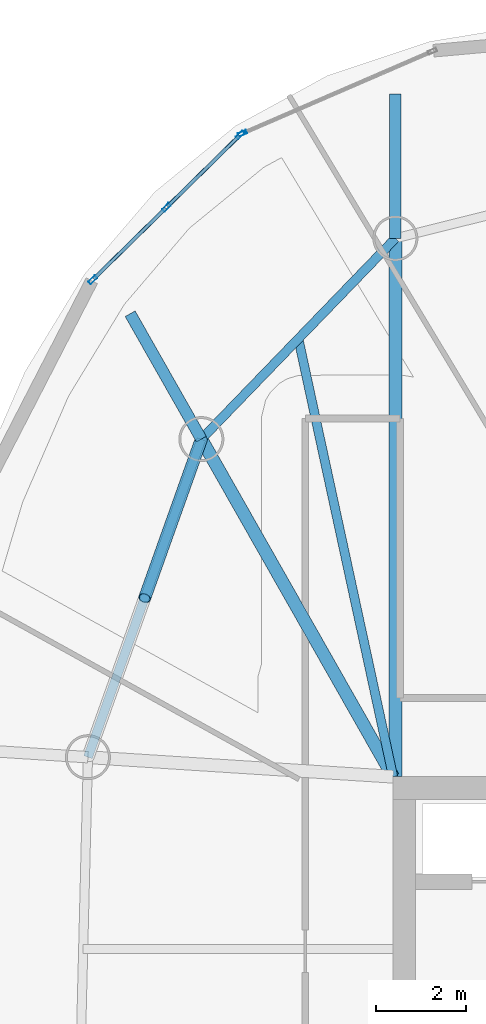
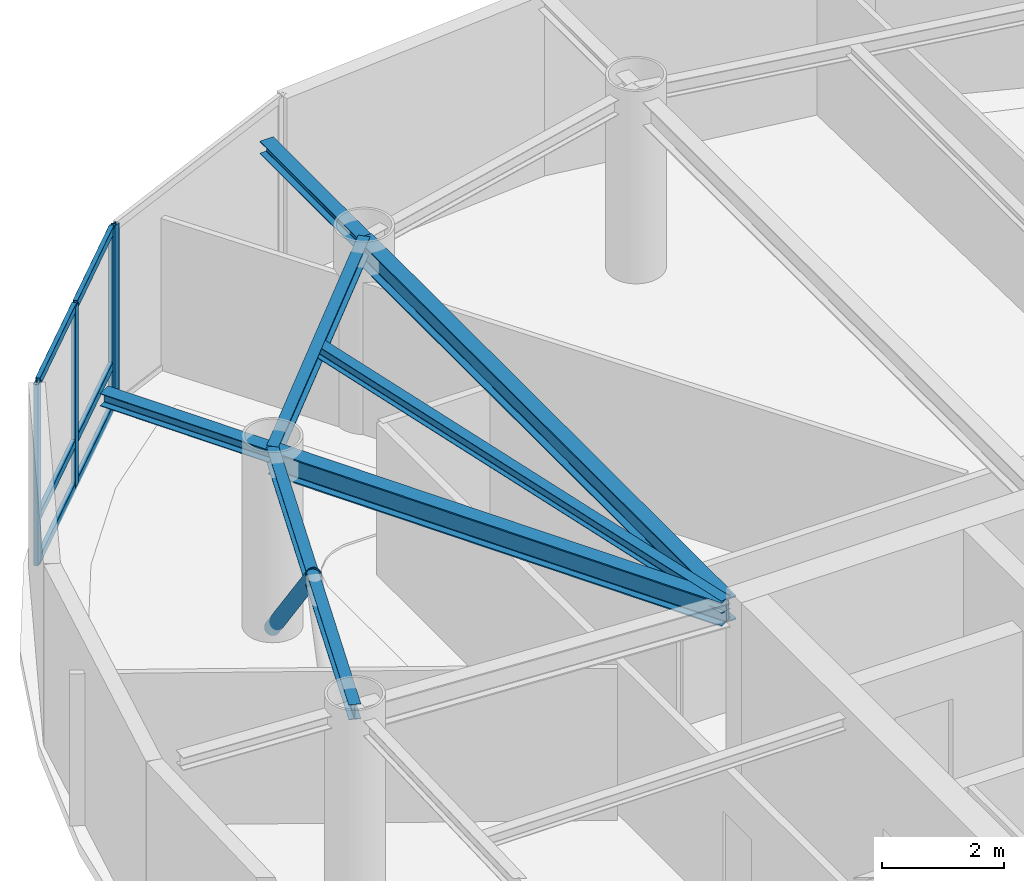
# One storey, part 11 of 21: 11 members, 7 beams, 2 elements without a shape of their own.
"""IFC4 building model written with IfcOpenShell, lengths in metres."""

from ifc_helpers import new_model, si_unit, direction, frame, origin, origin_2d, place, context, subcontext, project, spatial, hollow_rectangle, hollow_circle, i_section, extrude, material, layer, layer_set, material_profile, profile_set, type_object, element, aggregate, save


model = new_model("IFC4")

# Units and contexts
model_context = context("Model", 3, precision=1e-05, world=origin(), true_north=direction((0.0, 1.0)))
body_context = subcontext(model_context, "Body", "Model", "MODEL_VIEW")
ifc_project = project(units=[si_unit("LENGTHUNIT", "METRE"), si_unit("AREAUNIT", "SQUARE_METRE"), si_unit("VOLUMEUNIT", "CUBIC_METRE"), si_unit("PLANEANGLEUNIT", "RADIAN"), si_unit("MASSUNIT", "GRAM", prefix="KILO")], contexts=[model_context])

# Site, building, storey
site_placement = place(None, origin())
site = spatial("IfcSite", under=ifc_project, at=site_placement, CompositionType="ELEMENT")
building_placement = place(site_placement, origin())
building = spatial("IfcBuilding", under=site, at=building_placement, Name="Bramvorn Convention Spire", CompositionType="ELEMENT")
storey_placement = place(building_placement, frame((0.0, 0.0, 257.449951171875)))
storey = spatial("IfcBuildingStorey", under=building, at=storey_placement, Name="L65", CompositionType="ELEMENT", Elevation=257.449951171875)

# Beams
ifc_material_1 = material(Name="Steel CSA G40.21 Grade 350 (350W)", Category="steel")
ifc_material_profile_1 = material_profile(ifc_material_1, i_section(OverallWidth=0.201904296875, OverallDepth=0.2470703125, WebThickness=0.00732421875, FlangeThickness=0.010986328125, FilletRadius=0.011962890625, at=origin_2d()))
ifc_profile_set_1 = profile_set([ifc_material_profile_1], Name="Steel CSA G40.21 Grade 350 (350W) - W250X49")
beam_type_1 = type_object("IfcBeamType", Name="BM-W250X49", PredefinedType="JOIST", material=ifc_profile_set_1)
beam_1_placement = place(storey_placement, frame((26.75, 33.449951171875, 3.50146484375), z_axis=(-0.211461445939, 0.977386339623, 0.0), x_axis=(-0.977386339623, -0.211461445939, 0.0)))
element("IfcBeam", 1, at=beam_1_placement, inside=storey, type_object=beam_type_1, Name="L65 composite floor joist 09", PredefinedType="JOIST", context=body_context, shape_type="SweptSolid", body=[
    extrude(i_section(OverallWidth=0.201904296875, OverallDepth=0.2470703125, WebThickness=0.00732421875, FlangeThickness=0.010986328125, FilletRadius=0.011962890625, at=origin_2d()), origin(), (0.0, 0.0, 1.0), 9.9462890625),
])
ifc_material_profile_2 = material_profile(ifc_material_1, i_section(OverallWidth=0.25390625, OverallDepth=0.2529296875, WebThickness=0.008544921875, FlangeThickness=0.01416015625, FilletRadius=0.011962890625, at=origin_2d()))
ifc_profile_set_2 = profile_set([ifc_material_profile_2], Name="Steel CSA G40.21 Grade 350 (350W) - W250X73")
beam_type_2 = type_object("IfcBeamType", Name="BM-W250X73", PredefinedType="BEAM", material=ifc_profile_set_2)
beam_2_placement = place(storey_placement, frame((26.800048828125, 45.39892578125, 3.49853515625), z_axis=(0.0, 1.0, 0.0), x_axis=(-1.0, 0.0, 0.0)))
element("IfcBeam", 2, at=beam_2_placement, inside=storey, type_object=beam_type_2, Name="L65 slab-edge cantilever tip beam MC09", PredefinedType="BEAM", context=body_context, shape_type="SweptSolid", body=[
    extrude(i_section(OverallWidth=0.25390625, OverallDepth=0.2529296875, WebThickness=0.008544921875, FlangeThickness=0.01416015625, FilletRadius=0.011962890625, at=origin_2d()), origin(), (0.0, 0.0, 1.0), 3.2001953125),
])
beam_3_placement = place(storey_placement, frame((22.49365234375, 40.94384765625, 3.49853515625), z_axis=(-0.493918961888, 0.869507940785, 0.0), x_axis=(-0.869507940785, -0.493918961888, 0.0)))
element("IfcBeam", 3, at=beam_3_placement, inside=storey, type_object=beam_type_2, Name="L65 slab-edge cantilever tip beam MC10", PredefinedType="BEAM", context=body_context, shape_type="SweptSolid", body=[
    extrude(i_section(OverallWidth=0.25390625, OverallDepth=0.2529296875, WebThickness=0.008544921875, FlangeThickness=0.01416015625, FilletRadius=0.011962890625, at=origin_2d()), origin(), (0.0, 0.0, 1.0), 3.199951171875),
])
ifc_material_profile_3 = material_profile(ifc_material_1, i_section(OverallWidth=0.202880859375, OverallDepth=0.302978515625, WebThickness=0.007568359375, FlangeThickness=0.01318359375, FilletRadius=0.013916015625, at=origin_2d()))
ifc_profile_set_3 = profile_set([ifc_material_profile_3], Name="Steel CSA G40.21 Grade 350 (350W) - W310X60")
beam_type_3 = type_object("IfcBeamType", Name="BM-W310X60", PredefinedType="JOIST", material=ifc_profile_set_3)
beam_4_placement = place(storey_placement, frame((26.800048828125, 45.39892578125, 3.4736328125), z_axis=(-0.695007159797, -0.719002814898, 0.0), x_axis=(0.719002814898, -0.695007159797, 0.0)))
element("IfcBeam", 4, at=beam_4_placement, inside=storey, type_object=beam_type_3, Name="L65 mega-column ring beam 09", PredefinedType="JOIST", context=body_context, shape_type="SweptSolid", body=[
    extrude(i_section(OverallWidth=0.202880859375, OverallDepth=0.302978515625, WebThickness=0.007568359375, FlangeThickness=0.01318359375, FilletRadius=0.013916015625, at=origin_2d()), origin(), (0.0, 0.0, 1.0), 6.1962890625),
])
beam_5_placement = place(storey_placement, frame((22.49365234375, 40.94384765625, 3.4736328125), z_axis=(-0.335839090413, -0.941919373063, 0.0), x_axis=(0.941919373063, -0.335839090413, 0.0)))
element("IfcBeam", 5, at=beam_5_placement, inside=storey, type_object=beam_type_3, Name="L65 mega-column ring beam 10", PredefinedType="JOIST", context=body_context, shape_type="SweptSolid", body=[
    extrude(i_section(OverallWidth=0.202880859375, OverallDepth=0.302978515625, WebThickness=0.007568359375, FlangeThickness=0.01318359375, FilletRadius=0.013916015625, at=origin_2d()), origin(), (0.0, 0.0, 1.0), 7.49560546875),
])
ifc_material_profile_4 = material_profile(ifc_material_1, i_section(OverallWidth=0.283935546875, OverallDepth=0.47607421875, WebThickness=0.014892578125, FlangeThickness=0.02392578125, FilletRadius=0.01806640625, at=origin_2d()))
ifc_profile_set_4 = profile_set([ifc_material_profile_4], Name="Steel CSA G40.21 Grade 350 (350W) - W460X158")
beam_type_4 = type_object("IfcBeamType", Name="BM-W460X158", PredefinedType="SPANDREL", material=ifc_profile_set_4)
beam_6_placement = place(storey_placement, frame((26.800048828125, 33.449951171875, 3.386962890625), z_axis=(0.0, 1.0, 0.0), x_axis=(-1.0, 0.0, 0.0)))
element("IfcBeam", 6, at=beam_6_placement, inside=storey, type_object=beam_type_4, Name="L65 radial floor girder MC09", PredefinedType="SPANDREL", context=body_context, shape_type="SweptSolid", body=[
    extrude(i_section(OverallWidth=0.283935546875, OverallDepth=0.47607421875, WebThickness=0.014892578125, FlangeThickness=0.02392578125, FilletRadius=0.01806640625, at=origin_2d()), origin(), (0.0, 0.0, 1.0), 11.948974609375),
])
beam_7_placement = place(storey_placement, frame((26.75, 33.449951171875, 3.386962890625), z_axis=(-0.493873612118, 0.869533699895, 0.0), x_axis=(-0.869533699895, -0.493873612118, 0.0)))
element("IfcBeam", 7, at=beam_7_placement, inside=storey, type_object=beam_type_4, Name="L65 radial floor girder MC10", PredefinedType="SPANDREL", context=body_context, shape_type="SweptSolid", body=[
    extrude(i_section(OverallWidth=0.283935546875, OverallDepth=0.47607421875, WebThickness=0.014892578125, FlangeThickness=0.02392578125, FilletRadius=0.01806640625, at=origin_2d()), origin(), (0.0, 0.0, 1.0), 8.618408203125),
])

# Curtain wall, member
ifc_material_2 = material(Name="Anodised Bronze Unitised Curtain Wall", Category="aluminium")
ifc_layer = layer(ifc_material_2, 0.179931640625)
ifc_layer_set = layer_set([ifc_layer], Name="Anodised Bronze Unitised Curtain Wall - CW-OFF-FRIT")
curtain_wall_type = type_object("IfcCurtainWallType", Name="CW-OFF-FRIT", PredefinedType="USERDEFINED", material=ifc_layer_set)
curtain_wall_1_placement = place(storey_placement, origin())
curtain_wall_1 = element("IfcCurtainWall", 8, at=curtain_wall_1_placement, inside=storey, type_object=curtain_wall_type, Name="L65 fritted glass curtain wall 12", ObjectType="UNITISED CURTAIN WALL", PredefinedType="USERDEFINED")
ifc_material_3 = material(Name="Anodised Bronze Aluminium 6063-T6", Category="aluminium")
ifc_material_profile_5 = material_profile(ifc_material_3, hollow_rectangle(XDim=0.080078125, YDim=0.199951171875, WallThickness=0.00390625, InnerFilletRadius=0.0009765625, OuterFilletRadius=0.00390625, at=origin_2d()))
ifc_profile_set_5 = profile_set([ifc_material_profile_5], Name="Anodised Bronze Aluminium 6063-T6 - CWM80X200")
member_type_1 = type_object("IfcMemberType", Name="CW-MUL-180", PredefinedType="MULLION", material=ifc_profile_set_5)
member_1_placement = place(storey_placement, frame((23.40673828125, 47.72900390625, 0.0), z_axis=(0.0, 0.0, 1.0), x_axis=(-0.397197057209, 0.917733347844, 0.0)))
member_1 = element("IfcMember", 9, at=member_1_placement, type_object=member_type_1, Name="CW3 mullion 1", PredefinedType="MULLION", context=body_context, shape_type="SweptSolid", body=[
    extrude(hollow_rectangle(XDim=0.080078125, YDim=0.199951171875, WallThickness=0.00390625, InnerFilletRadius=0.0009765625, OuterFilletRadius=0.00390625, at=origin_2d()), origin(), (0.0, 0.0, 1.0), 3.625),
])
aggregate(curtain_wall_1, [member_1])

# Curtain wall, members
curtain_wall_2_placement = place(storey_placement, origin())
curtain_wall_2 = element("IfcCurtainWall", 10, at=curtain_wall_2_placement, inside=storey, type_object=curtain_wall_type, Name="L65 fritted glass curtain wall 13", ObjectType="UNITISED CURTAIN WALL", PredefinedType="USERDEFINED")
member_2_placement = place(storey_placement, frame((20.08349609375, 44.478515625, 0.0), z_axis=(0.0, 0.0, 1.0), x_axis=(-0.700854389246, 0.71330437057, 0.0)))
member_2 = element("IfcMember", 11, at=member_2_placement, type_object=member_type_1, Name="CW3 mullion 1", PredefinedType="MULLION", context=body_context, shape_type="SweptSolid", body=[
    extrude(hollow_rectangle(XDim=0.080078125, YDim=0.199951171875, WallThickness=0.00390625, InnerFilletRadius=0.0009765625, OuterFilletRadius=0.00390625, at=origin_2d()), origin(), (0.0, 0.0, 1.0), 3.625),
])
member_3_placement = place(storey_placement, frame((21.720703125, 46.08740234375, 0.0), z_axis=(0.0, 0.0, 1.0), x_axis=(-0.700854389246, 0.71330437057, 0.0)))
member_3 = element("IfcMember", 12, at=member_3_placement, type_object=member_type_1, Name="CW3 mullion 2", PredefinedType="MULLION", context=body_context, shape_type="SweptSolid", body=[
    extrude(hollow_rectangle(XDim=0.080078125, YDim=0.199951171875, WallThickness=0.00390625, InnerFilletRadius=0.0009765625, OuterFilletRadius=0.00390625, at=origin_2d()), origin(), (0.0, 0.0, 1.0), 3.625),
])
member_4_placement = place(storey_placement, frame((23.35791015625, 47.696044921875, 0.0), z_axis=(0.0, 0.0, 1.0), x_axis=(-0.700854389246, 0.71330437057, 0.0)))
member_4 = element("IfcMember", 13, at=member_4_placement, type_object=member_type_1, Name="CW3 mullion 3", PredefinedType="MULLION", context=body_context, shape_type="SweptSolid", body=[
    extrude(hollow_rectangle(XDim=0.080078125, YDim=0.199951171875, WallThickness=0.00390625, InnerFilletRadius=0.0009765625, OuterFilletRadius=0.00390625, at=origin_2d()), origin(), (0.0, 0.0, 1.0), 3.625),
])
ifc_material_profile_6 = material_profile(ifc_material_3, hollow_rectangle(XDim=0.080078125, YDim=0.159912109375, WallThickness=0.00390625, InnerFilletRadius=0.0009765625, OuterFilletRadius=0.00390625, at=origin_2d()))
ifc_profile_set_6 = profile_set([ifc_material_profile_6], Name="Anodised Bronze Aluminium 6063-T6 - CWT80X160")
member_type_2 = type_object("IfcMemberType", Name="CW-TRN-150", PredefinedType="USERDEFINED", material=ifc_profile_set_6)
member_5_placement = place(storey_placement, frame((20.104736328125, 44.499755859375, 0.030029296875), z_axis=(0.713359422619, 0.70079835485, 0.0), x_axis=(-0.70079835485, 0.713359422619, 0.0)))
member_5 = element("IfcMember", 14, at=member_5_placement, type_object=member_type_2, Name="CW3 transom 1.1", ObjectType="TRANSOM", PredefinedType="USERDEFINED", context=body_context, shape_type="SweptSolid", body=[
    extrude(hollow_rectangle(XDim=0.080078125, YDim=0.159912109375, WallThickness=0.00390625, InnerFilletRadius=0.0009765625, OuterFilletRadius=0.00390625, at=origin_2d()), origin(), (0.0, 0.0, 1.0), 2.235107421875),
])
member_6_placement = place(storey_placement, frame((20.104736328125, 44.499755859375, 0.900146484375), z_axis=(0.713359422619, 0.70079835485, 0.0), x_axis=(-0.70079835485, 0.713359422619, 0.0)))
member_6 = element("IfcMember", 15, at=member_6_placement, type_object=member_type_2, Name="CW3 transom 1.2", ObjectType="TRANSOM", PredefinedType="USERDEFINED", context=body_context, shape_type="SweptSolid", body=[
    extrude(hollow_rectangle(XDim=0.080078125, YDim=0.159912109375, WallThickness=0.00390625, InnerFilletRadius=0.0009765625, OuterFilletRadius=0.00390625, at=origin_2d()), origin(), (0.0, 0.0, 1.0), 2.235107421875),
])
member_7_placement = place(storey_placement, frame((20.104736328125, 44.499755859375, 3.594970703125), z_axis=(0.713359422619, 0.70079835485, 0.0), x_axis=(-0.70079835485, 0.713359422619, 0.0)))
member_7 = element("IfcMember", 16, at=member_7_placement, type_object=member_type_2, Name="CW3 transom 1.3", ObjectType="TRANSOM", PredefinedType="USERDEFINED", context=body_context, shape_type="SweptSolid", body=[
    extrude(hollow_rectangle(XDim=0.080078125, YDim=0.159912109375, WallThickness=0.00390625, InnerFilletRadius=0.0009765625, OuterFilletRadius=0.00390625, at=origin_2d()), origin(), (0.0, 0.0, 1.0), 2.235107421875),
])
member_8_placement = place(storey_placement, frame((21.741943359375, 46.1083984375, 0.030029296875), z_axis=(0.713304819912, 0.700853931921, 0.0), x_axis=(-0.700853931921, 0.713304819912, 0.0)))
member_8 = element("IfcMember", 17, at=member_8_placement, type_object=member_type_2, Name="CW3 transom 2.1", ObjectType="TRANSOM", PredefinedType="USERDEFINED", context=body_context, shape_type="SweptSolid", body=[
    extrude(hollow_rectangle(XDim=0.080078125, YDim=0.159912109375, WallThickness=0.00390625, InnerFilletRadius=0.0009765625, OuterFilletRadius=0.00390625, at=origin_2d()), origin(), (0.0, 0.0, 1.0), 2.2353515625),
])
member_9_placement = place(storey_placement, frame((21.741943359375, 46.1083984375, 0.900146484375), z_axis=(0.713304819912, 0.700853931921, 0.0), x_axis=(-0.700853931921, 0.713304819912, 0.0)))
member_9 = element("IfcMember", 18, at=member_9_placement, type_object=member_type_2, Name="CW3 transom 2.2", ObjectType="TRANSOM", PredefinedType="USERDEFINED", context=body_context, shape_type="SweptSolid", body=[
    extrude(hollow_rectangle(XDim=0.080078125, YDim=0.159912109375, WallThickness=0.00390625, InnerFilletRadius=0.0009765625, OuterFilletRadius=0.00390625, at=origin_2d()), origin(), (0.0, 0.0, 1.0), 2.2353515625),
])
member_10_placement = place(storey_placement, frame((21.741943359375, 46.1083984375, 3.594970703125), z_axis=(0.713304819912, 0.700853931921, 0.0), x_axis=(-0.700853931921, 0.713304819912, 0.0)))
member_10 = element("IfcMember", 19, at=member_10_placement, type_object=member_type_2, Name="CW3 transom 2.3", ObjectType="TRANSOM", PredefinedType="USERDEFINED", context=body_context, shape_type="SweptSolid", body=[
    extrude(hollow_rectangle(XDim=0.080078125, YDim=0.159912109375, WallThickness=0.00390625, InnerFilletRadius=0.0009765625, OuterFilletRadius=0.00390625, at=origin_2d()), origin(), (0.0, 0.0, 1.0), 2.2353515625),
])
aggregate(curtain_wall_2, [member_2, member_3, member_4, member_5, member_6, member_7, member_8, member_9, member_10])

# Member
ifc_material_profile_7 = material_profile(ifc_material_1, hollow_circle(Radius=0.136474609375, WallThickness=0.0126953125, at=origin_2d()))
ifc_profile_set_7 = profile_set([ifc_material_profile_7], Name="Steel CSA G40.21 Grade 350 (350W) - CHS273X13")
member_type_3 = type_object("IfcMemberType", Name="MBR-CHS273X13", PredefinedType="BRACE", material=ifc_profile_set_7)
member_11_placement = place(storey_placement, frame((22.49365234375, 40.94384765625, 0.0), z_axis=(-0.241415019829, -0.677048329465, 0.695215324751), x_axis=(0.941912743486, -0.335857683639, 0.0)))
element("IfcMember", 20, at=member_11_placement, inside=storey, type_object=member_type_3, Name="L65 perimeter Gothic lancet brace 10A", PredefinedType="BRACE", context=body_context, shape_type="SweptSolid", body=[
    extrude(hollow_circle(Radius=0.136474609375, WallThickness=0.0126953125, at=origin_2d()), origin(), (0.0, 0.0, 1.0), 5.214111328125),
])

save(model, "model.ifc")
